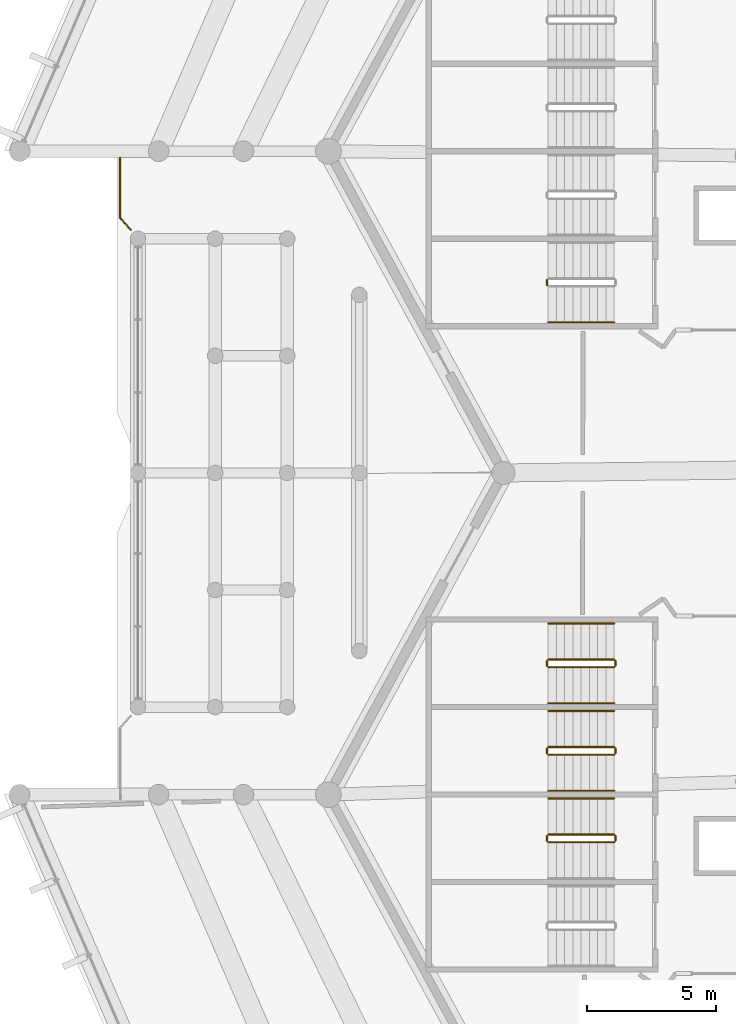
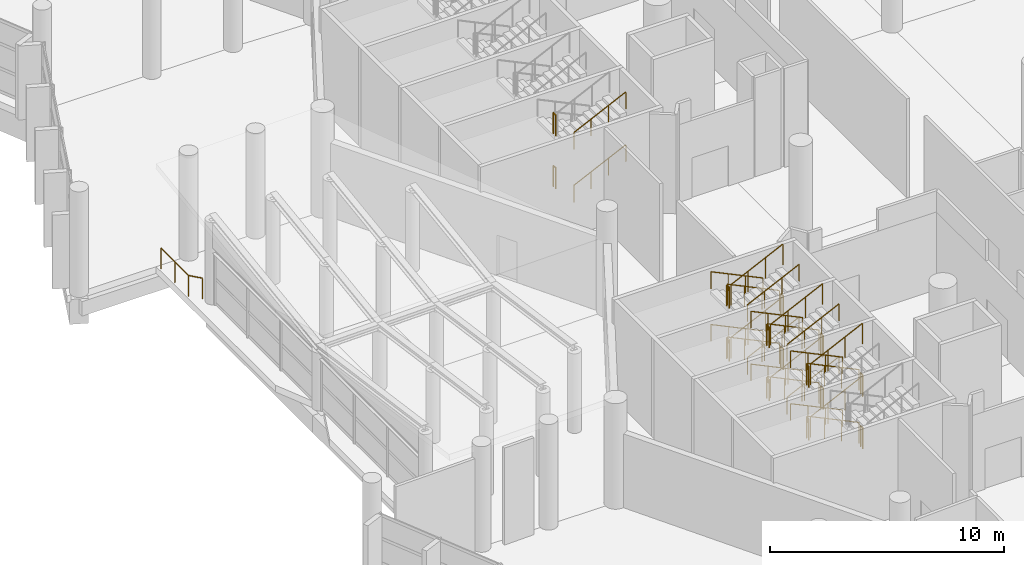
# One storey, part 234 of 271: 39 railings.
"""IFC4 building model written with IfcOpenShell, lengths in metres."""

from ifc_helpers import new_model, si_unit, direction, frame, origin, origin_2d, place, context, subcontext, project, spatial, circle, extrude, material, type_object, element, save


model = new_model("IFC4")

# Units and contexts
model_context = context("Model", 3, precision=1e-05, world=origin(), true_north=direction((0.0, 1.0)))
body_context = subcontext(model_context, "Body", "Model", "MODEL_VIEW")
ifc_project = project(units=[si_unit("LENGTHUNIT", "METRE"), si_unit("AREAUNIT", "SQUARE_METRE"), si_unit("VOLUMEUNIT", "CUBIC_METRE"), si_unit("PLANEANGLEUNIT", "RADIAN"), si_unit("MASSUNIT", "GRAM", prefix="KILO")], contexts=[model_context])

# Site, building, storey
site_placement = place(None, origin())
site = spatial("IfcSite", under=ifc_project, at=site_placement, CompositionType="ELEMENT")
building_placement = place(site_placement, origin())
building = spatial("IfcBuilding", under=site, at=building_placement, Name="Meseta Stadium", CompositionType="ELEMENT")
storey_placement = place(building_placement, frame((0.0, 0.0, 6.5)))
storey = spatial("IfcBuildingStorey", under=building, at=storey_placement, Name="L01", CompositionType="ELEMENT", Elevation=6.5)

# Railings
ifc_material_1 = material(Name="Steel S355", Category="steel")
railing_type_1 = type_object("IfcRailingType", Name="Plate edge guard 1100", PredefinedType="GUARDRAIL", material=ifc_material_1)
railing_1_placement = place(storey_placement, frame((-109.08837890625, 3.1953125, 0.0)))
element("IfcRailing", 1, at=railing_1_placement, inside=storey, type_object=railing_type_1, Name="Gate hall edge guard 8", PredefinedType="GUARDRAIL", context=body_context, shape_type="SweptSolid", body=[
    extrude(circle(Radius=0.02490234375, at=origin_2d()), frame((0.0, 0.0, 1.0751953125), z_axis=(-0.664119312189, 0.747626604113, 0.0), x_axis=(-0.747626604113, -0.664119312189, 0.0)), (0.0, 0.0, 1.0), 0.619873046875),
    extrude(circle(Radius=0.02490234375, at=origin_2d()), frame((-0.41162109375, 0.46337890625, 1.0751953125), z_axis=(0.0, 1.0, 0.0), x_axis=(-1.0, 0.0, 0.0)), (0.0, 0.0, 1.0), 2.34130859375),
    extrude(circle(Radius=0.02001953125, at=origin_2d()), origin(), (0.0, 0.0, 1.0), 1.050048828125),
    extrude(circle(Radius=0.02001953125, at=origin_2d()), frame((-0.41162109375, 0.46337890625, 0.0)), (0.0, 0.0, 1.0), 1.050048828125),
    extrude(circle(Radius=0.02001953125, at=origin_2d()), frame((-0.41162109375, 1.634033203125, 0.0)), (0.0, 0.0, 1.0), 1.050048828125),
    extrude(circle(Radius=0.02001953125, at=origin_2d()), frame((-0.41162109375, 2.8046875, 0.0)), (0.0, 0.0, 1.0), 1.050048828125),
])
ifc_material_2 = material(Name="Steel S355", Category="steel")
railing_type_2 = type_object("IfcRailingType", Name="Stair guard 1100", PredefinedType="GUARDRAIL", material=ifc_material_2)
for number, where, name in (
    (2, (-92.909912109375, 1.25, 1.375), "ST68 L01 guard 2"),
    (3, (-92.909912109375, 1.25, 4.125), "ST68 L01 guard 6"),
):
    element("IfcRailing", number, at=place(storey_placement, frame(where)), inside=storey, type_object=railing_type_2, Name=name, PredefinedType="GUARDRAIL", context=body_context, shape_type="SweptSolid", body=[
        extrude(circle(Radius=0.02392578125, at=origin_2d()), frame((0.0, 0.0, 1.076171875), z_axis=(0.0, -1.0, 0.0), x_axis=(1.0, 0.0, 0.0)), (0.0, 0.0, 1.0), 0.199951171875),
        extrude(circle(Radius=0.02099609375, at=origin_2d()), origin(), (0.0, 0.0, 1.0), 1.052001953125),
        extrude(circle(Radius=0.02099609375, at=origin_2d()), frame((0.0, -0.199951171875, 0.0)), (0.0, 0.0, 1.0), 1.052001953125),
    ])
railing_2_placement = place(storey_placement, frame((-90.300048828125, -13.5, 0.15283203125)))
element("IfcRailing", 4, at=railing_2_placement, inside=storey, type_object=railing_type_2, Name="ST69 L01 guard 1", PredefinedType="GUARDRAIL", context=body_context, shape_type="SweptSolid", body=[
    extrude(circle(Radius=0.02392578125, at=origin_2d()), frame((0.0, 0.0, 1.076171875), z_axis=(-0.902436934422, 0.0, 0.430821981091), x_axis=(0.0, -1.0, 0.0)), (0.0, 0.0, 1.0), 2.8369140625),
    extrude(circle(Radius=0.02099609375, at=origin_2d()), origin(), (0.0, 0.0, 1.0), 1.052001953125),
    extrude(circle(Radius=0.02099609375, at=origin_2d()), frame((-0.853271484375, 0.0, 0.407470703125)), (0.0, 0.0, 1.0), 1.052001953125),
    extrude(circle(Radius=0.02099609375, at=origin_2d()), frame((-1.706787109375, 0.0, 0.814697265625)), (0.0, 0.0, 1.0), 1.052001953125),
    extrude(circle(Radius=0.02099609375, at=origin_2d()), frame((-2.56005859375, 0.0, 1.22216796875)), (0.0, 0.0, 1.0), 1.052001953125),
])
railing_3_placement = place(storey_placement, frame((-92.909912109375, -13.550048828125, 1.375)))
element("IfcRailing", 5, at=railing_3_placement, inside=storey, type_object=railing_type_2, Name="ST69 L01 guard 2", PredefinedType="GUARDRAIL", context=body_context, shape_type="SweptSolid", body=[
    extrude(circle(Radius=0.02392578125, at=origin_2d()), frame((0.0, 0.0, 1.076171875), z_axis=(0.0, -1.0, 0.0), x_axis=(1.0, 0.0, 0.0)), (0.0, 0.0, 1.0), 0.199951171875),
    extrude(circle(Radius=0.02099609375, at=origin_2d()), origin(), (0.0, 0.0, 1.0), 1.052001953125),
    extrude(circle(Radius=0.02099609375, at=origin_2d()), frame((0.0, -0.199951171875, 0.0)), (0.0, 0.0, 1.0), 1.052001953125),
])
railing_4_placement = place(storey_placement, frame((-92.860107421875, -13.800048828125, 1.52783203125)))
element("IfcRailing", 6, at=railing_4_placement, inside=storey, type_object=railing_type_2, Name="ST69 L01 guard 3", PredefinedType="GUARDRAIL", context=body_context, shape_type="SweptSolid", body=[
    extrude(circle(Radius=0.02392578125, at=origin_2d()), frame((0.0, 0.0, 1.076171875), z_axis=(0.902436934422, 0.0, 0.430821981091), x_axis=(0.0, 1.0, 0.0)), (0.0, 0.0, 1.0), 2.8369140625),
    extrude(circle(Radius=0.02099609375, at=origin_2d()), origin(), (0.0, 0.0, 1.0), 1.052001953125),
    extrude(circle(Radius=0.02099609375, at=origin_2d()), frame((0.853271484375, 0.0, 0.407470703125)), (0.0, 0.0, 1.0), 1.052001953125),
    extrude(circle(Radius=0.02099609375, at=origin_2d()), frame((1.706787109375, 0.0, 0.814697265625)), (0.0, 0.0, 1.0), 1.052001953125),
    extrude(circle(Radius=0.02099609375, at=origin_2d()), frame((2.56005859375, 0.0, 1.22216796875)), (0.0, 0.0, 1.0), 1.052001953125),
])
railing_5_placement = place(storey_placement, frame((-90.25, -13.550048828125, 2.75)))
element("IfcRailing", 7, at=railing_5_placement, inside=storey, type_object=railing_type_2, Name="ST69 L01 guard 4", PredefinedType="GUARDRAIL", context=body_context, shape_type="SweptSolid", body=[
    extrude(circle(Radius=0.02392578125, at=origin_2d()), frame((0.0, 0.0, 1.076171875), z_axis=(0.0, -1.0, 0.0), x_axis=(1.0, 0.0, 0.0)), (0.0, 0.0, 1.0), 0.199951171875),
    extrude(circle(Radius=0.02099609375, at=origin_2d()), origin(), (0.0, 0.0, 1.0), 1.052001953125),
    extrude(circle(Radius=0.02099609375, at=origin_2d()), frame((0.0, -0.199951171875, 0.0)), (0.0, 0.0, 1.0), 1.052001953125),
])
railing_6_placement = place(storey_placement, frame((-90.300048828125, -13.5, 2.90283203125)))
element("IfcRailing", 8, at=railing_6_placement, inside=storey, type_object=railing_type_2, Name="ST69 L01 guard 5", PredefinedType="GUARDRAIL", context=body_context, shape_type="SweptSolid", body=[
    extrude(circle(Radius=0.02392578125, at=origin_2d()), frame((0.0, 0.0, 1.076171875), z_axis=(-0.902436934422, 0.0, 0.430821981091), x_axis=(0.0, -1.0, 0.0)), (0.0, 0.0, 1.0), 2.8369140625),
    extrude(circle(Radius=0.02099609375, at=origin_2d()), origin(), (0.0, 0.0, 1.0), 1.052001953125),
    extrude(circle(Radius=0.02099609375, at=origin_2d()), frame((-0.853271484375, 0.0, 0.407470703125)), (0.0, 0.0, 1.0), 1.052001953125),
    extrude(circle(Radius=0.02099609375, at=origin_2d()), frame((-1.706787109375, 0.0, 0.814697265625)), (0.0, 0.0, 1.0), 1.052001953125),
    extrude(circle(Radius=0.02099609375, at=origin_2d()), frame((-2.56005859375, 0.0, 1.22216796875)), (0.0, 0.0, 1.0), 1.052001953125),
])
railing_7_placement = place(storey_placement, frame((-92.909912109375, -13.550048828125, 4.125)))
element("IfcRailing", 9, at=railing_7_placement, inside=storey, type_object=railing_type_2, Name="ST69 L01 guard 6", PredefinedType="GUARDRAIL", context=body_context, shape_type="SweptSolid", body=[
    extrude(circle(Radius=0.02392578125, at=origin_2d()), frame((0.0, 0.0, 1.076171875), z_axis=(0.0, -1.0, 0.0), x_axis=(1.0, 0.0, 0.0)), (0.0, 0.0, 1.0), 0.199951171875),
    extrude(circle(Radius=0.02099609375, at=origin_2d()), origin(), (0.0, 0.0, 1.0), 1.052001953125),
    extrude(circle(Radius=0.02099609375, at=origin_2d()), frame((0.0, -0.199951171875, 0.0)), (0.0, 0.0, 1.0), 1.052001953125),
])
railing_8_placement = place(storey_placement, frame((-92.860107421875, -13.800048828125, 4.27783203125)))
element("IfcRailing", 10, at=railing_8_placement, inside=storey, type_object=railing_type_2, Name="ST69 L01 guard 7", PredefinedType="GUARDRAIL", context=body_context, shape_type="SweptSolid", body=[
    extrude(circle(Radius=0.02392578125, at=origin_2d()), frame((0.0, 0.0, 1.076171875), z_axis=(0.902436934422, 0.0, 0.430821981091), x_axis=(0.0, 1.0, 0.0)), (0.0, 0.0, 1.0), 2.8369140625),
    extrude(circle(Radius=0.02099609375, at=origin_2d()), origin(), (0.0, 0.0, 1.0), 1.052001953125),
    extrude(circle(Radius=0.02099609375, at=origin_2d()), frame((0.853271484375, 0.0, 0.407470703125)), (0.0, 0.0, 1.0), 1.052001953125),
    extrude(circle(Radius=0.02099609375, at=origin_2d()), frame((1.706787109375, 0.0, 0.814697265625)), (0.0, 0.0, 1.0), 1.052001953125),
    extrude(circle(Radius=0.02099609375, at=origin_2d()), frame((2.56005859375, 0.0, 1.22216796875)), (0.0, 0.0, 1.0), 1.052001953125),
])
railing_9_placement = place(storey_placement, frame((-90.25, -13.550048828125, 0.0)))
element("IfcRailing", 11, at=railing_9_placement, inside=storey, type_object=railing_type_2, Name="ST69 L01 guard 8", PredefinedType="GUARDRAIL", context=body_context, shape_type="SweptSolid", body=[
    extrude(circle(Radius=0.02392578125, at=origin_2d()), frame((0.0, 0.0, 1.076171875), z_axis=(0.0, -1.0, 0.0), x_axis=(1.0, 0.0, 0.0)), (0.0, 0.0, 1.0), 0.199951171875),
    extrude(circle(Radius=0.02099609375, at=origin_2d()), origin(), (0.0, 0.0, 1.0), 1.052001953125),
    extrude(circle(Radius=0.02099609375, at=origin_2d()), frame((0.0, -0.199951171875, 0.0)), (0.0, 0.0, 1.0), 1.052001953125),
])
railing_10_placement = place(storey_placement, frame((-90.300048828125, -16.89990234375, 0.15283203125)))
element("IfcRailing", 12, at=railing_10_placement, inside=storey, type_object=railing_type_2, Name="ST70 L01 guard 1", PredefinedType="GUARDRAIL", context=body_context, shape_type="SweptSolid", body=[
    extrude(circle(Radius=0.02392578125, at=origin_2d()), frame((0.0, 0.0, 1.076171875), z_axis=(-0.902436934422, 0.0, 0.430821981091), x_axis=(0.0, -1.0, 0.0)), (0.0, 0.0, 1.0), 2.8369140625),
    extrude(circle(Radius=0.02099609375, at=origin_2d()), origin(), (0.0, 0.0, 1.0), 1.052001953125),
    extrude(circle(Radius=0.02099609375, at=origin_2d()), frame((-0.853271484375, 0.0, 0.407470703125)), (0.0, 0.0, 1.0), 1.052001953125),
    extrude(circle(Radius=0.02099609375, at=origin_2d()), frame((-1.706787109375, 0.0, 0.814697265625)), (0.0, 0.0, 1.0), 1.052001953125),
    extrude(circle(Radius=0.02099609375, at=origin_2d()), frame((-2.56005859375, 0.0, 1.22216796875)), (0.0, 0.0, 1.0), 1.052001953125),
])
railing_11_placement = place(storey_placement, frame((-92.909912109375, -16.949951171875, 1.375)))
element("IfcRailing", 13, at=railing_11_placement, inside=storey, type_object=railing_type_2, Name="ST70 L01 guard 2", PredefinedType="GUARDRAIL", context=body_context, shape_type="SweptSolid", body=[
    extrude(circle(Radius=0.02392578125, at=origin_2d()), frame((0.0, 0.0, 1.076171875), z_axis=(0.0, -1.0, 0.0), x_axis=(1.0, 0.0, 0.0)), (0.0, 0.0, 1.0), 0.199951171875),
    extrude(circle(Radius=0.02099609375, at=origin_2d()), origin(), (0.0, 0.0, 1.0), 1.052001953125),
    extrude(circle(Radius=0.02099609375, at=origin_2d()), frame((0.0, -0.199951171875, 0.0)), (0.0, 0.0, 1.0), 1.052001953125),
])
railing_12_placement = place(storey_placement, frame((-92.860107421875, -17.199951171875, 1.52783203125)))
element("IfcRailing", 14, at=railing_12_placement, inside=storey, type_object=railing_type_2, Name="ST70 L01 guard 3", PredefinedType="GUARDRAIL", context=body_context, shape_type="SweptSolid", body=[
    extrude(circle(Radius=0.02392578125, at=origin_2d()), frame((0.0, 0.0, 1.076171875), z_axis=(0.902436934422, 0.0, 0.430821981091), x_axis=(0.0, 1.0, 0.0)), (0.0, 0.0, 1.0), 2.8369140625),
    extrude(circle(Radius=0.02099609375, at=origin_2d()), origin(), (0.0, 0.0, 1.0), 1.052001953125),
    extrude(circle(Radius=0.02099609375, at=origin_2d()), frame((0.853271484375, 0.0, 0.407470703125)), (0.0, 0.0, 1.0), 1.052001953125),
    extrude(circle(Radius=0.02099609375, at=origin_2d()), frame((1.706787109375, 0.0, 0.814697265625)), (0.0, 0.0, 1.0), 1.052001953125),
    extrude(circle(Radius=0.02099609375, at=origin_2d()), frame((2.56005859375, 0.0, 1.22216796875)), (0.0, 0.0, 1.0), 1.052001953125),
])
railing_13_placement = place(storey_placement, frame((-90.25, -16.949951171875, 2.75)))
element("IfcRailing", 15, at=railing_13_placement, inside=storey, type_object=railing_type_2, Name="ST70 L01 guard 4", PredefinedType="GUARDRAIL", context=body_context, shape_type="SweptSolid", body=[
    extrude(circle(Radius=0.02392578125, at=origin_2d()), frame((0.0, 0.0, 1.076171875), z_axis=(0.0, -1.0, 0.0), x_axis=(1.0, 0.0, 0.0)), (0.0, 0.0, 1.0), 0.199951171875),
    extrude(circle(Radius=0.02099609375, at=origin_2d()), origin(), (0.0, 0.0, 1.0), 1.052001953125),
    extrude(circle(Radius=0.02099609375, at=origin_2d()), frame((0.0, -0.199951171875, 0.0)), (0.0, 0.0, 1.0), 1.052001953125),
])
railing_14_placement = place(storey_placement, frame((-90.300048828125, -16.89990234375, 2.90283203125)))
element("IfcRailing", 16, at=railing_14_placement, inside=storey, type_object=railing_type_2, Name="ST70 L01 guard 5", PredefinedType="GUARDRAIL", context=body_context, shape_type="SweptSolid", body=[
    extrude(circle(Radius=0.02392578125, at=origin_2d()), frame((0.0, 0.0, 1.076171875), z_axis=(-0.902436934422, 0.0, 0.430821981091), x_axis=(0.0, -1.0, 0.0)), (0.0, 0.0, 1.0), 2.8369140625),
    extrude(circle(Radius=0.02099609375, at=origin_2d()), origin(), (0.0, 0.0, 1.0), 1.052001953125),
    extrude(circle(Radius=0.02099609375, at=origin_2d()), frame((-0.853271484375, 0.0, 0.407470703125)), (0.0, 0.0, 1.0), 1.052001953125),
    extrude(circle(Radius=0.02099609375, at=origin_2d()), frame((-1.706787109375, 0.0, 0.814697265625)), (0.0, 0.0, 1.0), 1.052001953125),
    extrude(circle(Radius=0.02099609375, at=origin_2d()), frame((-2.56005859375, 0.0, 1.22216796875)), (0.0, 0.0, 1.0), 1.052001953125),
])
railing_15_placement = place(storey_placement, frame((-92.909912109375, -16.949951171875, 4.125)))
element("IfcRailing", 17, at=railing_15_placement, inside=storey, type_object=railing_type_2, Name="ST70 L01 guard 6", PredefinedType="GUARDRAIL", context=body_context, shape_type="SweptSolid", body=[
    extrude(circle(Radius=0.02392578125, at=origin_2d()), frame((0.0, 0.0, 1.076171875), z_axis=(0.0, -1.0, 0.0), x_axis=(1.0, 0.0, 0.0)), (0.0, 0.0, 1.0), 0.199951171875),
    extrude(circle(Radius=0.02099609375, at=origin_2d()), origin(), (0.0, 0.0, 1.0), 1.052001953125),
    extrude(circle(Radius=0.02099609375, at=origin_2d()), frame((0.0, -0.199951171875, 0.0)), (0.0, 0.0, 1.0), 1.052001953125),
])
railing_16_placement = place(storey_placement, frame((-92.860107421875, -17.199951171875, 4.27783203125)))
element("IfcRailing", 18, at=railing_16_placement, inside=storey, type_object=railing_type_2, Name="ST70 L01 guard 7", PredefinedType="GUARDRAIL", context=body_context, shape_type="SweptSolid", body=[
    extrude(circle(Radius=0.02392578125, at=origin_2d()), frame((0.0, 0.0, 1.076171875), z_axis=(0.902436934422, 0.0, 0.430821981091), x_axis=(0.0, 1.0, 0.0)), (0.0, 0.0, 1.0), 2.8369140625),
    extrude(circle(Radius=0.02099609375, at=origin_2d()), origin(), (0.0, 0.0, 1.0), 1.052001953125),
    extrude(circle(Radius=0.02099609375, at=origin_2d()), frame((0.853271484375, 0.0, 0.407470703125)), (0.0, 0.0, 1.0), 1.052001953125),
    extrude(circle(Radius=0.02099609375, at=origin_2d()), frame((1.706787109375, 0.0, 0.814697265625)), (0.0, 0.0, 1.0), 1.052001953125),
    extrude(circle(Radius=0.02099609375, at=origin_2d()), frame((2.56005859375, 0.0, 1.22216796875)), (0.0, 0.0, 1.0), 1.052001953125),
])
railing_17_placement = place(storey_placement, frame((-90.25, -16.949951171875, 0.0)))
element("IfcRailing", 19, at=railing_17_placement, inside=storey, type_object=railing_type_2, Name="ST70 L01 guard 8", PredefinedType="GUARDRAIL", context=body_context, shape_type="SweptSolid", body=[
    extrude(circle(Radius=0.02392578125, at=origin_2d()), frame((0.0, 0.0, 1.076171875), z_axis=(0.0, -1.0, 0.0), x_axis=(1.0, 0.0, 0.0)), (0.0, 0.0, 1.0), 0.199951171875),
    extrude(circle(Radius=0.02099609375, at=origin_2d()), origin(), (0.0, 0.0, 1.0), 1.052001953125),
    extrude(circle(Radius=0.02099609375, at=origin_2d()), frame((0.0, -0.199951171875, 0.0)), (0.0, 0.0, 1.0), 1.052001953125),
])
railing_18_placement = place(storey_placement, frame((-90.300048828125, -20.300048828125, 0.15283203125)))
element("IfcRailing", 20, at=railing_18_placement, inside=storey, type_object=railing_type_2, Name="ST71 L01 guard 1", PredefinedType="GUARDRAIL", context=body_context, shape_type="SweptSolid", body=[
    extrude(circle(Radius=0.02392578125, at=origin_2d()), frame((0.0, 0.0, 1.076171875), z_axis=(-0.902436934422, 0.0, 0.430821981091), x_axis=(0.0, -1.0, 0.0)), (0.0, 0.0, 1.0), 2.8369140625),
    extrude(circle(Radius=0.02099609375, at=origin_2d()), origin(), (0.0, 0.0, 1.0), 1.052001953125),
    extrude(circle(Radius=0.02099609375, at=origin_2d()), frame((-0.853271484375, 0.0, 0.407470703125)), (0.0, 0.0, 1.0), 1.052001953125),
    extrude(circle(Radius=0.02099609375, at=origin_2d()), frame((-1.706787109375, 0.0, 0.814697265625)), (0.0, 0.0, 1.0), 1.052001953125),
    extrude(circle(Radius=0.02099609375, at=origin_2d()), frame((-2.56005859375, 0.0, 1.22216796875)), (0.0, 0.0, 1.0), 1.052001953125),
])
railing_19_placement = place(storey_placement, frame((-92.909912109375, -20.35009765625, 1.375)))
element("IfcRailing", 21, at=railing_19_placement, inside=storey, type_object=railing_type_2, Name="ST71 L01 guard 2", PredefinedType="GUARDRAIL", context=body_context, shape_type="SweptSolid", body=[
    extrude(circle(Radius=0.02392578125, at=origin_2d()), frame((0.0, 0.0, 1.076171875), z_axis=(0.0, -1.0, 0.0), x_axis=(1.0, 0.0, 0.0)), (0.0, 0.0, 1.0), 0.199951171875),
    extrude(circle(Radius=0.02099609375, at=origin_2d()), origin(), (0.0, 0.0, 1.0), 1.052001953125),
    extrude(circle(Radius=0.02099609375, at=origin_2d()), frame((0.0, -0.199951171875, 0.0)), (0.0, 0.0, 1.0), 1.052001953125),
])
railing_20_placement = place(storey_placement, frame((-92.860107421875, -20.60009765625, 1.52783203125)))
element("IfcRailing", 22, at=railing_20_placement, inside=storey, type_object=railing_type_2, Name="ST71 L01 guard 3", PredefinedType="GUARDRAIL", context=body_context, shape_type="SweptSolid", body=[
    extrude(circle(Radius=0.02392578125, at=origin_2d()), frame((0.0, 0.0, 1.076171875), z_axis=(0.902436934422, 0.0, 0.430821981091), x_axis=(0.0, 1.0, 0.0)), (0.0, 0.0, 1.0), 2.8369140625),
    extrude(circle(Radius=0.02099609375, at=origin_2d()), origin(), (0.0, 0.0, 1.0), 1.052001953125),
    extrude(circle(Radius=0.02099609375, at=origin_2d()), frame((0.853271484375, 0.0, 0.407470703125)), (0.0, 0.0, 1.0), 1.052001953125),
    extrude(circle(Radius=0.02099609375, at=origin_2d()), frame((1.706787109375, 0.0, 0.814697265625)), (0.0, 0.0, 1.0), 1.052001953125),
    extrude(circle(Radius=0.02099609375, at=origin_2d()), frame((2.56005859375, 0.0, 1.22216796875)), (0.0, 0.0, 1.0), 1.052001953125),
])
railing_21_placement = place(storey_placement, frame((-90.25, -20.35009765625, 2.75)))
element("IfcRailing", 23, at=railing_21_placement, inside=storey, type_object=railing_type_2, Name="ST71 L01 guard 4", PredefinedType="GUARDRAIL", context=body_context, shape_type="SweptSolid", body=[
    extrude(circle(Radius=0.02392578125, at=origin_2d()), frame((0.0, 0.0, 1.076171875), z_axis=(0.0, -1.0, 0.0), x_axis=(1.0, 0.0, 0.0)), (0.0, 0.0, 1.0), 0.199951171875),
    extrude(circle(Radius=0.02099609375, at=origin_2d()), origin(), (0.0, 0.0, 1.0), 1.052001953125),
    extrude(circle(Radius=0.02099609375, at=origin_2d()), frame((0.0, -0.199951171875, 0.0)), (0.0, 0.0, 1.0), 1.052001953125),
])
railing_22_placement = place(storey_placement, frame((-90.300048828125, -20.300048828125, 2.90283203125)))
element("IfcRailing", 24, at=railing_22_placement, inside=storey, type_object=railing_type_2, Name="ST71 L01 guard 5", PredefinedType="GUARDRAIL", context=body_context, shape_type="SweptSolid", body=[
    extrude(circle(Radius=0.02392578125, at=origin_2d()), frame((0.0, 0.0, 1.076171875), z_axis=(-0.902436934422, 0.0, 0.430821981091), x_axis=(0.0, -1.0, 0.0)), (0.0, 0.0, 1.0), 2.8369140625),
    extrude(circle(Radius=0.02099609375, at=origin_2d()), origin(), (0.0, 0.0, 1.0), 1.052001953125),
    extrude(circle(Radius=0.02099609375, at=origin_2d()), frame((-0.853271484375, 0.0, 0.407470703125)), (0.0, 0.0, 1.0), 1.052001953125),
    extrude(circle(Radius=0.02099609375, at=origin_2d()), frame((-1.706787109375, 0.0, 0.814697265625)), (0.0, 0.0, 1.0), 1.052001953125),
    extrude(circle(Radius=0.02099609375, at=origin_2d()), frame((-2.56005859375, 0.0, 1.22216796875)), (0.0, 0.0, 1.0), 1.052001953125),
])
railing_23_placement = place(storey_placement, frame((-92.909912109375, -20.35009765625, 4.125)))
element("IfcRailing", 25, at=railing_23_placement, inside=storey, type_object=railing_type_2, Name="ST71 L01 guard 6", PredefinedType="GUARDRAIL", context=body_context, shape_type="SweptSolid", body=[
    extrude(circle(Radius=0.02392578125, at=origin_2d()), frame((0.0, 0.0, 1.076171875), z_axis=(0.0, -1.0, 0.0), x_axis=(1.0, 0.0, 0.0)), (0.0, 0.0, 1.0), 0.199951171875),
    extrude(circle(Radius=0.02099609375, at=origin_2d()), origin(), (0.0, 0.0, 1.0), 1.052001953125),
    extrude(circle(Radius=0.02099609375, at=origin_2d()), frame((0.0, -0.199951171875, 0.0)), (0.0, 0.0, 1.0), 1.052001953125),
])
railing_24_placement = place(storey_placement, frame((-92.860107421875, -20.60009765625, 4.27783203125)))
element("IfcRailing", 26, at=railing_24_placement, inside=storey, type_object=railing_type_2, Name="ST71 L01 guard 7", PredefinedType="GUARDRAIL", context=body_context, shape_type="SweptSolid", body=[
    extrude(circle(Radius=0.02392578125, at=origin_2d()), frame((0.0, 0.0, 1.076171875), z_axis=(0.902436934422, 0.0, 0.430821981091), x_axis=(0.0, 1.0, 0.0)), (0.0, 0.0, 1.0), 2.8369140625),
    extrude(circle(Radius=0.02099609375, at=origin_2d()), origin(), (0.0, 0.0, 1.0), 1.052001953125),
    extrude(circle(Radius=0.02099609375, at=origin_2d()), frame((0.853271484375, 0.0, 0.407470703125)), (0.0, 0.0, 1.0), 1.052001953125),
    extrude(circle(Radius=0.02099609375, at=origin_2d()), frame((1.706787109375, 0.0, 0.814697265625)), (0.0, 0.0, 1.0), 1.052001953125),
    extrude(circle(Radius=0.02099609375, at=origin_2d()), frame((2.56005859375, 0.0, 1.22216796875)), (0.0, 0.0, 1.0), 1.052001953125),
])
railing_25_placement = place(storey_placement, frame((-90.25, -20.35009765625, 0.0)))
element("IfcRailing", 27, at=railing_25_placement, inside=storey, type_object=railing_type_2, Name="ST71 L01 guard 8", PredefinedType="GUARDRAIL", context=body_context, shape_type="SweptSolid", body=[
    extrude(circle(Radius=0.02392578125, at=origin_2d()), frame((0.0, 0.0, 1.076171875), z_axis=(0.0, -1.0, 0.0), x_axis=(1.0, 0.0, 0.0)), (0.0, 0.0, 1.0), 0.199951171875),
    extrude(circle(Radius=0.02099609375, at=origin_2d()), origin(), (0.0, 0.0, 1.0), 1.052001953125),
    extrude(circle(Radius=0.02099609375, at=origin_2d()), frame((0.0, -0.199951171875, 0.0)), (0.0, 0.0, 1.0), 1.052001953125),
])
ifc_material_3 = material(Name="Steel S355", Category="steel")
railing_type_3 = type_object("IfcRailingType", Name="Stair handrail 900", PredefinedType="HANDRAIL", material=ifc_material_3)
for number, where, name in (
    (28, (-92.860107421875, -0.39990234375, 1.52783203125), "ST68 L01 handrail 2"),
    (29, (-92.860107421875, -0.39990234375, 4.27783203125), "ST68 L01 handrail 4"),
):
    element("IfcRailing", number, at=place(storey_placement, frame(where)), inside=storey, type_object=railing_type_3, Name=name, PredefinedType="HANDRAIL", context=body_context, shape_type="SweptSolid", body=[
        extrude(circle(Radius=0.02392578125, at=origin_2d()), frame((0.0, 0.0, 0.8759765625), z_axis=(0.902436934422, 0.0, 0.430821981091), x_axis=(0.0, 1.0, 0.0)), (0.0, 0.0, 1.0), 2.8369140625),
        extrude(circle(Radius=0.02099609375, at=origin_2d()), origin(), (0.0, 0.0, 1.0), 0.851806640625),
        extrude(circle(Radius=0.02099609375, at=origin_2d()), frame((0.853271484375, 0.0, 0.407470703125)), (0.0, 0.0, 1.0), 0.851806640625),
        extrude(circle(Radius=0.02099609375, at=origin_2d()), frame((1.706787109375, 0.0, 0.814697265625)), (0.0, 0.0, 1.0), 0.851806640625),
        extrude(circle(Radius=0.02099609375, at=origin_2d()), frame((2.56005859375, 0.0, 1.22216796875)), (0.0, 0.0, 1.0), 0.851806640625),
    ])
railing_26_placement = place(storey_placement, frame((-90.300048828125, -12.10009765625, 0.15283203125)))
element("IfcRailing", 30, at=railing_26_placement, inside=storey, type_object=railing_type_3, Name="ST69 L01 handrail 1", PredefinedType="HANDRAIL", context=body_context, shape_type="SweptSolid", body=[
    extrude(circle(Radius=0.02392578125, at=origin_2d()), frame((0.0, 0.0, 0.8759765625), z_axis=(-0.902436934422, 0.0, 0.430821981091), x_axis=(0.0, -1.0, 0.0)), (0.0, 0.0, 1.0), 2.8369140625),
    extrude(circle(Radius=0.02099609375, at=origin_2d()), origin(), (0.0, 0.0, 1.0), 0.851806640625),
    extrude(circle(Radius=0.02099609375, at=origin_2d()), frame((-0.853271484375, 0.0, 0.407470703125)), (0.0, 0.0, 1.0), 0.851806640625),
    extrude(circle(Radius=0.02099609375, at=origin_2d()), frame((-1.706787109375, 0.0, 0.814697265625)), (0.0, 0.0, 1.0), 0.851806640625),
    extrude(circle(Radius=0.02099609375, at=origin_2d()), frame((-2.56005859375, 0.0, 1.22216796875)), (0.0, 0.0, 1.0), 0.851806640625),
])
railing_27_placement = place(storey_placement, frame((-92.860107421875, -15.199951171875, 1.52783203125)))
element("IfcRailing", 31, at=railing_27_placement, inside=storey, type_object=railing_type_3, Name="ST69 L01 handrail 2", PredefinedType="HANDRAIL", context=body_context, shape_type="SweptSolid", body=[
    extrude(circle(Radius=0.02392578125, at=origin_2d()), frame((0.0, 0.0, 0.8759765625), z_axis=(0.902436934422, 0.0, 0.430821981091), x_axis=(0.0, 1.0, 0.0)), (0.0, 0.0, 1.0), 2.8369140625),
    extrude(circle(Radius=0.02099609375, at=origin_2d()), origin(), (0.0, 0.0, 1.0), 0.851806640625),
    extrude(circle(Radius=0.02099609375, at=origin_2d()), frame((0.853271484375, 0.0, 0.407470703125)), (0.0, 0.0, 1.0), 0.851806640625),
    extrude(circle(Radius=0.02099609375, at=origin_2d()), frame((1.706787109375, 0.0, 0.814697265625)), (0.0, 0.0, 1.0), 0.851806640625),
    extrude(circle(Radius=0.02099609375, at=origin_2d()), frame((2.56005859375, 0.0, 1.22216796875)), (0.0, 0.0, 1.0), 0.851806640625),
])
railing_28_placement = place(storey_placement, frame((-90.300048828125, -12.10009765625, 2.90283203125)))
element("IfcRailing", 32, at=railing_28_placement, inside=storey, type_object=railing_type_3, Name="ST69 L01 handrail 3", PredefinedType="HANDRAIL", context=body_context, shape_type="SweptSolid", body=[
    extrude(circle(Radius=0.02392578125, at=origin_2d()), frame((0.0, 0.0, 0.8759765625), z_axis=(-0.902436934422, 0.0, 0.430821981091), x_axis=(0.0, -1.0, 0.0)), (0.0, 0.0, 1.0), 2.8369140625),
    extrude(circle(Radius=0.02099609375, at=origin_2d()), origin(), (0.0, 0.0, 1.0), 0.851806640625),
    extrude(circle(Radius=0.02099609375, at=origin_2d()), frame((-0.853271484375, 0.0, 0.407470703125)), (0.0, 0.0, 1.0), 0.851806640625),
    extrude(circle(Radius=0.02099609375, at=origin_2d()), frame((-1.706787109375, 0.0, 0.814697265625)), (0.0, 0.0, 1.0), 0.851806640625),
    extrude(circle(Radius=0.02099609375, at=origin_2d()), frame((-2.56005859375, 0.0, 1.22216796875)), (0.0, 0.0, 1.0), 0.851806640625),
])
railing_29_placement = place(storey_placement, frame((-92.860107421875, -15.199951171875, 4.27783203125)))
element("IfcRailing", 33, at=railing_29_placement, inside=storey, type_object=railing_type_3, Name="ST69 L01 handrail 4", PredefinedType="HANDRAIL", context=body_context, shape_type="SweptSolid", body=[
    extrude(circle(Radius=0.02392578125, at=origin_2d()), frame((0.0, 0.0, 0.8759765625), z_axis=(0.902436934422, 0.0, 0.430821981091), x_axis=(0.0, 1.0, 0.0)), (0.0, 0.0, 1.0), 2.8369140625),
    extrude(circle(Radius=0.02099609375, at=origin_2d()), origin(), (0.0, 0.0, 1.0), 0.851806640625),
    extrude(circle(Radius=0.02099609375, at=origin_2d()), frame((0.853271484375, 0.0, 0.407470703125)), (0.0, 0.0, 1.0), 0.851806640625),
    extrude(circle(Radius=0.02099609375, at=origin_2d()), frame((1.706787109375, 0.0, 0.814697265625)), (0.0, 0.0, 1.0), 0.851806640625),
    extrude(circle(Radius=0.02099609375, at=origin_2d()), frame((2.56005859375, 0.0, 1.22216796875)), (0.0, 0.0, 1.0), 0.851806640625),
])
railing_30_placement = place(storey_placement, frame((-90.300048828125, -15.5, 0.15283203125)))
element("IfcRailing", 34, at=railing_30_placement, inside=storey, type_object=railing_type_3, Name="ST70 L01 handrail 1", PredefinedType="HANDRAIL", context=body_context, shape_type="SweptSolid", body=[
    extrude(circle(Radius=0.02392578125, at=origin_2d()), frame((0.0, 0.0, 0.8759765625), z_axis=(-0.902436934422, 0.0, 0.430821981091), x_axis=(0.0, -1.0, 0.0)), (0.0, 0.0, 1.0), 2.8369140625),
    extrude(circle(Radius=0.02099609375, at=origin_2d()), origin(), (0.0, 0.0, 1.0), 0.851806640625),
    extrude(circle(Radius=0.02099609375, at=origin_2d()), frame((-0.853271484375, 0.0, 0.407470703125)), (0.0, 0.0, 1.0), 0.851806640625),
    extrude(circle(Radius=0.02099609375, at=origin_2d()), frame((-1.706787109375, 0.0, 0.814697265625)), (0.0, 0.0, 1.0), 0.851806640625),
    extrude(circle(Radius=0.02099609375, at=origin_2d()), frame((-2.56005859375, 0.0, 1.22216796875)), (0.0, 0.0, 1.0), 0.851806640625),
])
railing_31_placement = place(storey_placement, frame((-92.860107421875, -18.60009765625, 1.52783203125)))
element("IfcRailing", 35, at=railing_31_placement, inside=storey, type_object=railing_type_3, Name="ST70 L01 handrail 2", PredefinedType="HANDRAIL", context=body_context, shape_type="SweptSolid", body=[
    extrude(circle(Radius=0.02392578125, at=origin_2d()), frame((0.0, 0.0, 0.8759765625), z_axis=(0.902436934422, 0.0, 0.430821981091), x_axis=(0.0, 1.0, 0.0)), (0.0, 0.0, 1.0), 2.8369140625),
    extrude(circle(Radius=0.02099609375, at=origin_2d()), origin(), (0.0, 0.0, 1.0), 0.851806640625),
    extrude(circle(Radius=0.02099609375, at=origin_2d()), frame((0.853271484375, 0.0, 0.407470703125)), (0.0, 0.0, 1.0), 0.851806640625),
    extrude(circle(Radius=0.02099609375, at=origin_2d()), frame((1.706787109375, 0.0, 0.814697265625)), (0.0, 0.0, 1.0), 0.851806640625),
    extrude(circle(Radius=0.02099609375, at=origin_2d()), frame((2.56005859375, 0.0, 1.22216796875)), (0.0, 0.0, 1.0), 0.851806640625),
])
railing_32_placement = place(storey_placement, frame((-90.300048828125, -15.5, 2.90283203125)))
element("IfcRailing", 36, at=railing_32_placement, inside=storey, type_object=railing_type_3, Name="ST70 L01 handrail 3", PredefinedType="HANDRAIL", context=body_context, shape_type="SweptSolid", body=[
    extrude(circle(Radius=0.02392578125, at=origin_2d()), frame((0.0, 0.0, 0.8759765625), z_axis=(-0.902436934422, 0.0, 0.430821981091), x_axis=(0.0, -1.0, 0.0)), (0.0, 0.0, 1.0), 2.8369140625),
    extrude(circle(Radius=0.02099609375, at=origin_2d()), origin(), (0.0, 0.0, 1.0), 0.851806640625),
    extrude(circle(Radius=0.02099609375, at=origin_2d()), frame((-0.853271484375, 0.0, 0.407470703125)), (0.0, 0.0, 1.0), 0.851806640625),
    extrude(circle(Radius=0.02099609375, at=origin_2d()), frame((-1.706787109375, 0.0, 0.814697265625)), (0.0, 0.0, 1.0), 0.851806640625),
    extrude(circle(Radius=0.02099609375, at=origin_2d()), frame((-2.56005859375, 0.0, 1.22216796875)), (0.0, 0.0, 1.0), 0.851806640625),
])
railing_33_placement = place(storey_placement, frame((-92.860107421875, -18.60009765625, 4.27783203125)))
element("IfcRailing", 37, at=railing_33_placement, inside=storey, type_object=railing_type_3, Name="ST70 L01 handrail 4", PredefinedType="HANDRAIL", context=body_context, shape_type="SweptSolid", body=[
    extrude(circle(Radius=0.02392578125, at=origin_2d()), frame((0.0, 0.0, 0.8759765625), z_axis=(0.902436934422, 0.0, 0.430821981091), x_axis=(0.0, 1.0, 0.0)), (0.0, 0.0, 1.0), 2.8369140625),
    extrude(circle(Radius=0.02099609375, at=origin_2d()), origin(), (0.0, 0.0, 1.0), 0.851806640625),
    extrude(circle(Radius=0.02099609375, at=origin_2d()), frame((0.853271484375, 0.0, 0.407470703125)), (0.0, 0.0, 1.0), 0.851806640625),
    extrude(circle(Radius=0.02099609375, at=origin_2d()), frame((1.706787109375, 0.0, 0.814697265625)), (0.0, 0.0, 1.0), 0.851806640625),
    extrude(circle(Radius=0.02099609375, at=origin_2d()), frame((2.56005859375, 0.0, 1.22216796875)), (0.0, 0.0, 1.0), 0.851806640625),
])
for number, where, name in (
    (38, (-90.300048828125, -18.89990234375, 0.15283203125), "ST71 L01 handrail 1"),
    (39, (-90.300048828125, -18.89990234375, 2.90283203125), "ST71 L01 handrail 3"),
):
    element("IfcRailing", number, at=place(storey_placement, frame(where)), inside=storey, type_object=railing_type_3, Name=name, PredefinedType="HANDRAIL", context=body_context, shape_type="SweptSolid", body=[
        extrude(circle(Radius=0.02392578125, at=origin_2d()), frame((0.0, 0.0, 0.8759765625), z_axis=(-0.902436934422, 0.0, 0.430821981091), x_axis=(0.0, -1.0, 0.0)), (0.0, 0.0, 1.0), 2.8369140625),
        extrude(circle(Radius=0.02099609375, at=origin_2d()), origin(), (0.0, 0.0, 1.0), 0.851806640625),
        extrude(circle(Radius=0.02099609375, at=origin_2d()), frame((-0.853271484375, 0.0, 0.407470703125)), (0.0, 0.0, 1.0), 0.851806640625),
        extrude(circle(Radius=0.02099609375, at=origin_2d()), frame((-1.706787109375, 0.0, 0.814697265625)), (0.0, 0.0, 1.0), 0.851806640625),
        extrude(circle(Radius=0.02099609375, at=origin_2d()), frame((-2.56005859375, 0.0, 1.22216796875)), (0.0, 0.0, 1.0), 0.851806640625),
    ])

save(model, "model.ifc")
